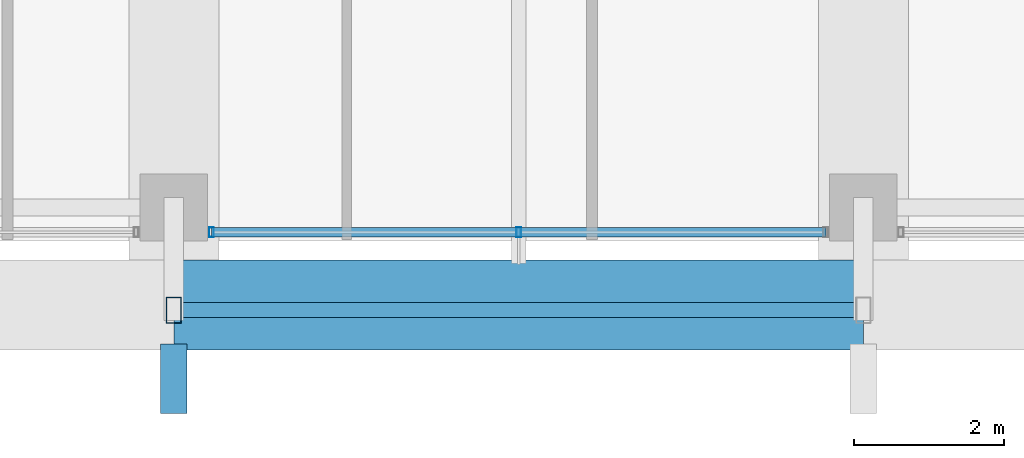
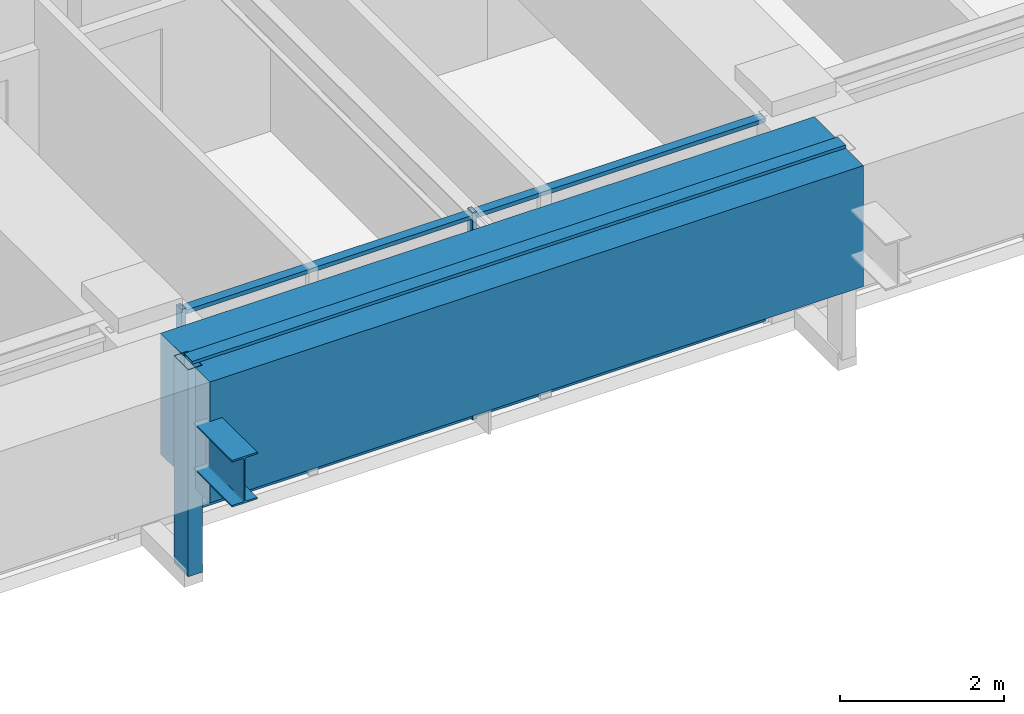
# One storey, part 5 of 40: 6 members, 2 beams, 1 element without a shape of its own.
"""IFC4 building model written with IfcOpenShell, lengths in metres."""

from ifc_helpers import new_model, si_unit, direction, frame, origin, origin_2d, place, context, subcontext, project, spatial, rectangle, hollow_rectangle, i_section, extrude, material, material_profile, profile_set, type_object, element, aggregate, save


model = new_model("IFC4")

# Units and contexts
model_context = context("Model", 3, precision=1e-05, world=origin(), true_north=direction((0.0, 1.0)))
body_context = subcontext(model_context, "Body", "Model", "MODEL_VIEW")
ifc_project = project(units=[si_unit("LENGTHUNIT", "METRE"), si_unit("AREAUNIT", "SQUARE_METRE"), si_unit("VOLUMEUNIT", "CUBIC_METRE"), si_unit("PLANEANGLEUNIT", "RADIAN"), si_unit("MASSUNIT", "GRAM", prefix="KILO")], contexts=[model_context])

# Site, building, storey
site_placement = place(None, origin())
site = spatial("IfcSite", under=ifc_project, at=site_placement, CompositionType="ELEMENT")
building_placement = place(site_placement, origin())
building = spatial("IfcBuilding", under=site, at=building_placement, Name="Kolvaren Belvedere", CompositionType="ELEMENT")
storey_placement = place(building_placement, frame((0.0, 0.0, 170.10009765625)))
storey = spatial("IfcBuildingStorey", under=building, at=storey_placement, Name="L49", CompositionType="ELEMENT", Elevation=170.10009765625)

# Beams
ifc_material_1 = material(Name="Structural steel ASTM A992 Grade 50", Category="steel")
ifc_material_profile_1 = material_profile(ifc_material_1, i_section(OverallWidth=0.35498046875, OverallDepth=0.696044921875, WebThickness=0.015380859375, FlangeThickness=0.02490234375, FilletRadius=0.02197265625, at=origin_2d()), Name="W27X146")
ifc_profile_set_1 = profile_set([ifc_material_profile_1], Name="Structural steel ASTM A992 Grade 50")
beam_type_1 = type_object("IfcBeamType", Name="BM-CANT-BAL", PredefinedType="BEAM", material=ifc_profile_set_1)
beam_1_placement = place(storey_placement, frame((-4.60009765625, -20.469970703125, 2.141845703125), z_axis=(0.0, -1.0, 0.0), x_axis=(1.0, 0.0, 0.0)))
element("IfcBeam", 1, at=beam_1_placement, inside=storey, type_object=beam_type_1, Name="L49 South Picture-Frame Column Corbel M", PredefinedType="BEAM", context=body_context, shape_type="SweptSolid", body=[
    extrude(i_section(OverallWidth=0.35498046875, OverallDepth=0.696044921875, WebThickness=0.015380859375, FlangeThickness=0.02490234375, FilletRadius=0.02197265625, at=origin_2d()), origin(), (0.0, 0.0, 1.0), 0.929931640625),
])
ifc_material_2 = material(Name="Concrete C50/60", Category="concrete")
ifc_material_profile_2 = material_profile(ifc_material_2, rectangle(XDim=1.199951171875, YDim=1.800048828125, at=origin_2d()), Name="RC 1200X1800")
ifc_profile_set_2 = profile_set([ifc_material_profile_2], Name="Concrete C50/60")
beam_type_2 = type_object("IfcBeamType", Name="BM-TG-1800", PredefinedType="BEAM", material=ifc_profile_set_2)
beam_2_placement = place(storey_placement, frame((-4.60009765625, -19.949951171875, 2.179931640625), z_axis=(1.0, 0.0, 0.0), x_axis=(0.0, 1.0, 0.0)))
element("IfcBeam", 2, at=beam_2_placement, inside=storey, type_object=beam_type_2, Name="L49 Step Transfer Ring Girder S2-S3", PredefinedType="BEAM", context=body_context, shape_type="SweptSolid", body=[
    extrude(rectangle(XDim=1.199951171875, YDim=1.800048828125, at=origin_2d()), origin(), (0.0, 0.0, 1.0), 9.2001953125),
])

# Curtain wall, members
ifc_material_3 = material(Name="Anodised pale-metal aluminium AA 6063-T6", Category="aluminium")
curtain_wall_type = type_object("IfcCurtainWallType", Name="CW-Z3-WAIST", PredefinedType="NOTDEFINED", material=ifc_material_3)
curtain_wall_placement = place(storey_placement, origin())
curtain_wall = element("IfcCurtainWall", 3, at=curtain_wall_placement, inside=storey, type_object=curtain_wall_type, Name="L49 Unitised Curtain Wall FCW-L49-S-B2", PredefinedType="NOTDEFINED")
ifc_material_4 = material(Name="Anodised pale-metal aluminium AA 6063-T6", Category="aluminium")
ifc_material_profile_3 = material_profile(ifc_material_4, hollow_rectangle(XDim=0.06494140625, YDim=0.1298828125, WallThickness=0.00390625, at=origin_2d()), Name="ALU-MUL-130X65")
ifc_profile_set_3 = profile_set([ifc_material_profile_3], Name="Anodised pale-metal aluminium AA 6063-T6")
member_type_1 = type_object("IfcMemberType", Name="CW-MUL-130", PredefinedType="MULLION", material=ifc_profile_set_3)
member_1_placement = place(storey_placement, frame((0.0, -18.97998046875, 0.0), z_axis=(0.0, 0.0, 1.0), x_axis=(1.0, 0.0, 0.0)))
member_1 = element("IfcMember", 4, at=member_1_placement, type_object=member_type_1, Name="FCW-L49-S-B2 Unitised Mullion 2", PredefinedType="MULLION", context=body_context, shape_type="SweptSolid", body=[
    extrude(hollow_rectangle(XDim=0.06494140625, YDim=0.1298828125, WallThickness=0.00390625, at=origin_2d()), origin(), (0.0, 0.0, 1.0), 3.079833984375),
])
member_2_placement = place(storey_placement, frame((-4.097412109375, -18.97998046875, 0.0), z_axis=(0.0, 0.0, 1.0), x_axis=(1.0, 0.0, 0.0)))
member_2 = element("IfcMember", 5, at=member_2_placement, type_object=member_type_1, Name="FCW-L49-S-B2 Unitised Mullion 3", PredefinedType="MULLION", context=body_context, shape_type="SweptSolid", body=[
    extrude(hollow_rectangle(XDim=0.06494140625, YDim=0.1298828125, WallThickness=0.00390625, at=origin_2d()), origin(), (0.0, 0.0, 1.0), 3.079833984375),
])
ifc_material_5 = material(Name="Anodised pale-metal aluminium AA 6063-T6", Category="aluminium")
ifc_material_profile_4 = material_profile(ifc_material_5, hollow_rectangle(XDim=0.06005859375, YDim=0.1298828125, WallThickness=0.00390625, at=origin_2d()), Name="ALU-TRN-130X60")
ifc_profile_set_4 = profile_set([ifc_material_profile_4], Name="Anodised pale-metal aluminium AA 6063-T6")
member_type_2 = type_object("IfcMemberType", Name="CW-TRN-130", PredefinedType="USERDEFINED", material=ifc_profile_set_4)
member_3_placement = place(storey_placement, frame((4.097412109375, -18.97998046875, 0.059814453125), z_axis=(-1.0, 0.0, 0.0), x_axis=(0.0, 0.0, 1.0)))
member_3 = element("IfcMember", 6, at=member_3_placement, type_object=member_type_2, Name="FCW-L49-S-B2 Sill Transom", ObjectType="TRANSOM", PredefinedType="USERDEFINED", context=body_context, shape_type="SweptSolid", body=[
    extrude(hollow_rectangle(XDim=0.06005859375, YDim=0.1298828125, WallThickness=0.00390625, at=origin_2d()), origin(), (0.0, 0.0, 1.0), 8.19482421875),
])
member_4_placement = place(storey_placement, frame((4.097412109375, -18.97998046875, 3.02001953125), z_axis=(-1.0, 0.0, 0.0), x_axis=(0.0, 0.0, 1.0)))
member_4 = element("IfcMember", 7, at=member_4_placement, type_object=member_type_2, Name="FCW-L49-S-B2 Head Transom", ObjectType="TRANSOM", PredefinedType="USERDEFINED", context=body_context, shape_type="SweptSolid", body=[
    extrude(hollow_rectangle(XDim=0.06005859375, YDim=0.1298828125, WallThickness=0.00390625, at=origin_2d()), origin(), (0.0, 0.0, 1.0), 8.19482421875),
])
aggregate(curtain_wall, [member_1, member_2, member_3, member_4])

# Members
ifc_material_6 = material(Name="Anodised pale-metal aluminium AA 6063-T6", Category="aluminium")
ifc_material_profile_5 = material_profile(ifc_material_6, hollow_rectangle(XDim=0.199951171875, YDim=0.35009765625, WallThickness=0.007568359375, at=origin_2d()), Name="ALU-PF-350X200")
ifc_profile_set_5 = profile_set([ifc_material_profile_5], Name="Anodised pale-metal aluminium AA 6063-T6")
member_type_3 = type_object("IfcMemberType", Name="PF-FRAME-350", PredefinedType="USERDEFINED", material=ifc_profile_set_5)
member_5_placement = place(storey_placement, frame((-4.60009765625, -20.02001953125, 0.0), z_axis=(0.0, 0.0, 1.0), x_axis=(1.0, 0.0, 0.0)))
element("IfcMember", 8, at=member_5_placement, inside=storey, type_object=member_type_3, Name="L49 Outboard Picture-Frame Vertical S2", ObjectType="PICTURE FRAME FIN", PredefinedType="USERDEFINED", context=body_context, shape_type="SweptSolid", body=[
    extrude(hollow_rectangle(XDim=0.199951171875, YDim=0.35009765625, WallThickness=0.007568359375, at=origin_2d()), origin(), (0.0, 0.0, 1.0), 3.079833984375),
])
member_6_placement = place(storey_placement, frame((4.60009765625, -20.02001953125, 2.949951171875), z_axis=(-1.0, 0.0, 0.0), x_axis=(0.0, -1.0, 0.0)))
element("IfcMember", 9, at=member_6_placement, inside=storey, type_object=member_type_3, Name="L49 Outboard Picture-Frame Head S", ObjectType="PICTURE FRAME FIN", PredefinedType="USERDEFINED", context=body_context, shape_type="SweptSolid", body=[
    extrude(hollow_rectangle(XDim=0.199951171875, YDim=0.35009765625, WallThickness=0.007568359375, at=origin_2d()), origin(), (0.0, 0.0, 1.0), 9.2001953125),
])

save(model, "model.ifc")
